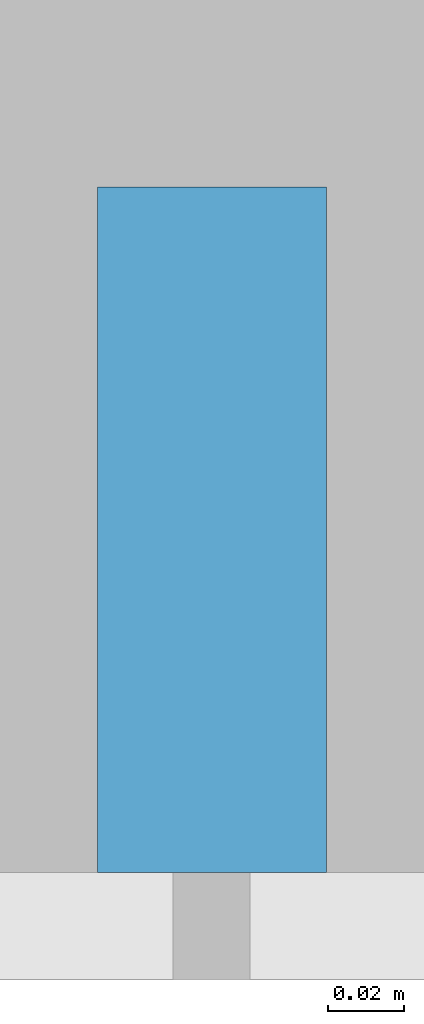
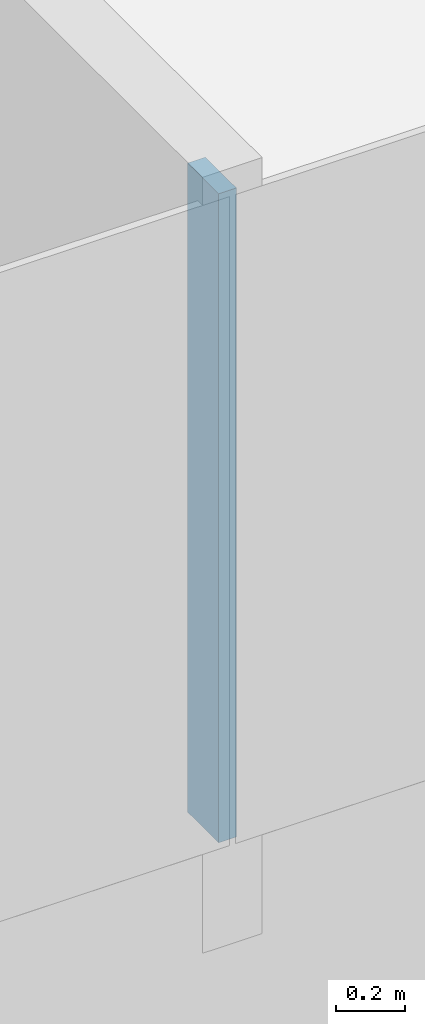
# One storey, part 3 of 26: 1 member, 1 element without a shape of its own.
"""IFC4 building model written with IfcOpenShell, lengths in metres."""

from ifc_helpers import new_model, si_unit, direction, frame, origin, origin_2d, place, context, subcontext, project, spatial, rectangle, extrude, material, layer, layer_set, material_profile, profile_set, type_object, element, aggregate, save


model = new_model("IFC4")

# Units and contexts
model_context = context("Model", 3, precision=1e-05, world=origin(), true_north=direction((0.0, 1.0)))
body_context = subcontext(model_context, "Body", "Model", "MODEL_VIEW")
ifc_project = project(units=[si_unit("LENGTHUNIT", "METRE"), si_unit("AREAUNIT", "SQUARE_METRE"), si_unit("VOLUMEUNIT", "CUBIC_METRE"), si_unit("PLANEANGLEUNIT", "RADIAN"), si_unit("MASSUNIT", "GRAM", prefix="KILO")], contexts=[model_context])

# Site, building, storey
site_placement = place(None, origin())
site = spatial("IfcSite", under=ifc_project, at=site_placement, CompositionType="ELEMENT")
building_placement = place(site_placement, origin())
building = spatial("IfcBuilding", under=site, at=building_placement, Name="Hakoniwa Tower and Hamabe Station Hall", CompositionType="ELEMENT")
storey_placement = place(building_placement, frame((0.0, 0.0, 156.60009765625)))
storey = spatial("IfcBuildingStorey", under=building, at=storey_placement, Name="L44", CompositionType="ELEMENT", Elevation=156.60009765625)

# Curtain wall, member
ifc_material_1 = material(Name="Dark low-e laminated glass", Category="glass")
ifc_layer = layer(ifc_material_1, 0.199951171875)
ifc_layer_set = layer_set([ifc_layer], Name="CW-1 UNITISED GUEST")
curtain_wall_type = type_object("IfcCurtainWallType", Name="CW-1 UNITISED GUEST", PredefinedType="NOTDEFINED", material=ifc_layer_set)
curtain_wall_placement = place(storey_placement, origin())
curtain_wall = element("IfcCurtainWall", 1, at=curtain_wall_placement, inside=storey, type_object=curtain_wall_type, Name="CW-1 curtain wall", PredefinedType="NOTDEFINED")
ifc_material_2 = material(Name="Aluminium 6063-T5 black anodised", Category="aluminium")
ifc_material_profile = material_profile(ifc_material_2, rectangle(XDim=0.06005859375, YDim=0.179931640625, at=origin_2d()), Name="CW-1 MULLION 60X180")
ifc_profile_set = profile_set([ifc_material_profile], Name="Aluminium 6063-T5 black anodised")
member_type = type_object("IfcMemberType", Name="CW-1 MULLION 60X180", PredefinedType="MULLION", material=ifc_profile_set)
member_placement = place(storey_placement, frame((-8.39990234375, -19.181884765625, 0.349853515625), z_axis=(0.0, 0.0, 1.0), x_axis=(1.0, 0.0, 0.0)))
member = element("IfcMember", 2, at=member_placement, type_object=member_type, Name="CW-1 mullion", PredefinedType="MULLION", context=body_context, shape_type="SweptSolid", body=[
    extrude(rectangle(XDim=0.06005859375, YDim=0.179931640625, at=origin_2d()), origin(), (0.0, 0.0, 1.0), 2.300048828125),
])
aggregate(curtain_wall, [member])

save(model, "model.ifc")
